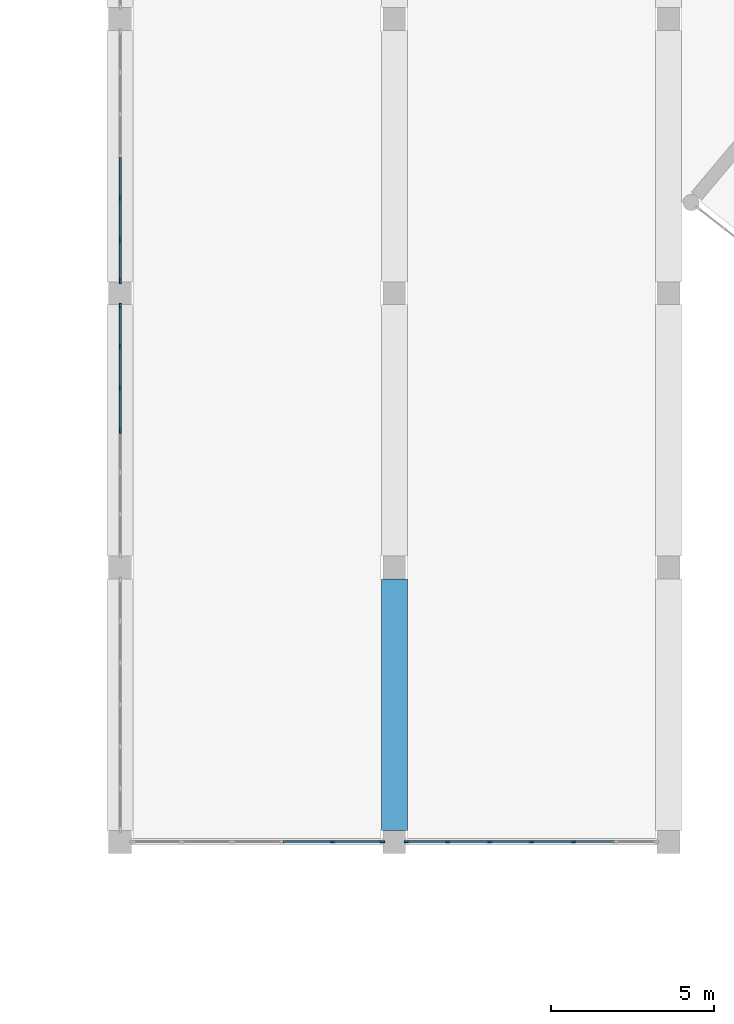
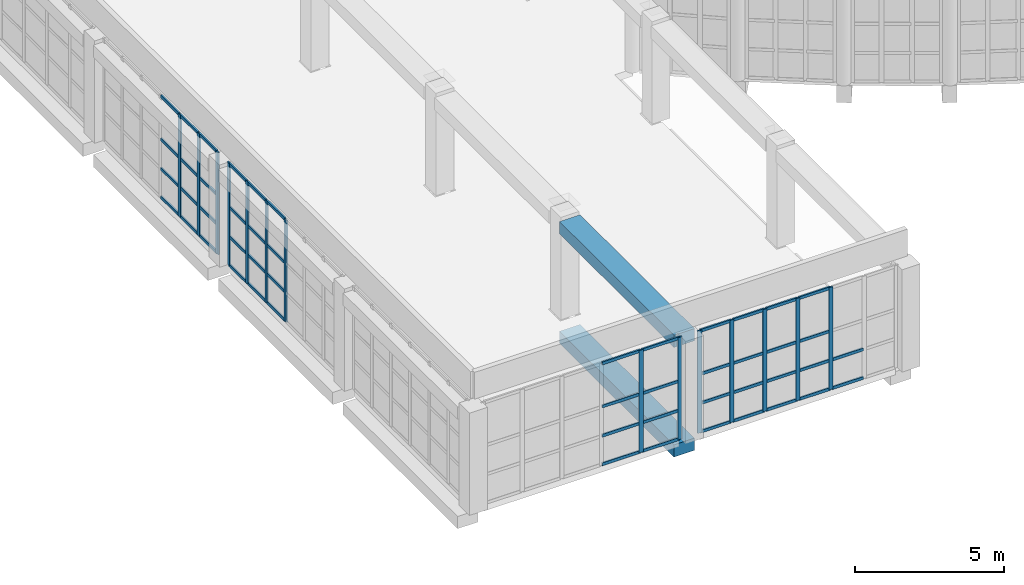
# One storey, part 37 of 162: 64 members, 2 beams, 4 elements without a shape of their own.
"""IFC4 building model written with IfcOpenShell, lengths in metres."""

from ifc_helpers import new_model, si_unit, direction, frame, origin, origin_2d, place, context, subcontext, project, spatial, rectangle, extrude, material, layer, layer_set, material_profile, profile_set, type_object, element, aggregate, save


model = new_model("IFC4")

# Units and contexts
model_context = context("Model", 3, precision=1e-05, world=origin(), true_north=direction((0.0, 1.0)))
body_context = subcontext(model_context, "Body", "Model", "MODEL_VIEW")
ifc_project = project(units=[si_unit("LENGTHUNIT", "METRE"), si_unit("AREAUNIT", "SQUARE_METRE"), si_unit("VOLUMEUNIT", "CUBIC_METRE"), si_unit("PLANEANGLEUNIT", "RADIAN"), si_unit("MASSUNIT", "GRAM", prefix="KILO")], contexts=[model_context])

# Site, building, storey
site_placement = place(None, origin())
site = spatial("IfcSite", under=ifc_project, at=site_placement, CompositionType="ELEMENT")
building_placement = place(site_placement, origin())
building = spatial("IfcBuilding", under=site, at=building_placement, Name="Rain Tree Exposition and Congress Centre", CompositionType="ELEMENT")
storey_placement = place(building_placement, frame((0.0, 0.0, 6.0)))
storey = spatial("IfcBuildingStorey", under=building, at=storey_placement, Name="L01", CompositionType="ELEMENT", Elevation=6.0)

# Curtain wall, members
ifc_material_1 = material(Name="Aluminium", Category="aluminium")
ifc_layer = layer(ifc_material_1, 0.10009765625)
ifc_layer_set = layer_set([ifc_layer], Name="Aluminium")
curtain_wall_type = type_object("IfcCurtainWallType", Name="Curtain wall congress", PredefinedType="NOTDEFINED", material=ifc_layer_set)
curtain_wall_1_placement = place(storey_placement, origin())
curtain_wall_1 = element("IfcCurtainWall", 1, at=curtain_wall_1_placement, inside=storey, type_object=curtain_wall_type, Name="Foyer curtain wall L01 bay 2", PredefinedType="NOTDEFINED")
ifc_material_2 = material(Name="Aluminium", Category="aluminium")
ifc_material_profile_1 = material_profile(ifc_material_2, rectangle(XDim=0.06005859375, YDim=0.159912109375, at=origin_2d()), Name="AL 60x160")
ifc_profile_set_1 = profile_set([ifc_material_profile_1], Name="Aluminium")
member_type_1 = type_object("IfcMemberType", Name="Curtain wall mullion 60x160 congress", PredefinedType="MULLION", material=ifc_profile_set_1)
member_1_placement = place(storey_placement, frame((151.199951171875, 21.0, 0.0), z_axis=(0.0, 0.0, 1.0), x_axis=(-1.0, 0.0, 0.0)))
member_1 = element("IfcMember", 2, at=member_1_placement, type_object=member_type_1, Name="CWG402 mullion 4", PredefinedType="MULLION", context=body_context, shape_type="SweptSolid", body=[
    extrude(rectangle(XDim=0.06005859375, YDim=0.159912109375, at=origin_2d()), origin(), (0.0, 0.0, 1.0), 4.199951171875),
])
member_2_placement = place(storey_placement, frame((151.199951171875, 22.283447265625, 0.0), z_axis=(0.0, 0.0, 1.0), x_axis=(-1.0, 0.0, 0.0)))
member_2 = element("IfcMember", 3, at=member_2_placement, type_object=member_type_1, Name="CWG402 mullion 5", PredefinedType="MULLION", context=body_context, shape_type="SweptSolid", body=[
    extrude(rectangle(XDim=0.06005859375, YDim=0.159912109375, at=origin_2d()), origin(), (0.0, 0.0, 1.0), 4.199951171875),
])
member_3_placement = place(storey_placement, frame((151.199951171875, 23.566650390625, 0.0), z_axis=(0.0, 0.0, 1.0), x_axis=(-1.0, 0.0, 0.0)))
member_3 = element("IfcMember", 4, at=member_3_placement, type_object=member_type_1, Name="CWG402 mullion 6", PredefinedType="MULLION", context=body_context, shape_type="SweptSolid", body=[
    extrude(rectangle(XDim=0.06005859375, YDim=0.159912109375, at=origin_2d()), origin(), (0.0, 0.0, 1.0), 4.199951171875),
])
member_4_placement = place(storey_placement, frame((151.199951171875, 24.820068359375, 0.0), z_axis=(0.0, 0.0, 1.0), x_axis=(-1.0, 0.0, 0.0)))
member_4 = element("IfcMember", 5, at=member_4_placement, type_object=member_type_1, Name="CWG402 mullion 7", PredefinedType="MULLION", context=body_context, shape_type="SweptSolid", body=[
    extrude(rectangle(XDim=0.06005859375, YDim=0.159912109375, at=origin_2d()), origin(), (0.0, 0.0, 1.0), 4.199951171875),
])

curtain_wall_2_placement = place(storey_placement, origin())
curtain_wall_2 = element("IfcCurtainWall", 6, at=curtain_wall_2_placement, inside=storey, type_object=curtain_wall_type, Name="Foyer curtain wall L01 bay 3", PredefinedType="NOTDEFINED")
member_5_placement = place(storey_placement, frame((151.199951171875, 25.580078125, 0.0), z_axis=(0.0, 0.0, 1.0), x_axis=(-1.0, 0.0, 0.0)))
member_5 = element("IfcMember", 7, at=member_5_placement, type_object=member_type_1, Name="CWG403 mullion 1", PredefinedType="MULLION", context=body_context, shape_type="SweptSolid", body=[
    extrude(rectangle(XDim=0.06005859375, YDim=0.159912109375, at=origin_2d()), origin(), (0.0, 0.0, 1.0), 4.199951171875),
])
member_6_placement = place(storey_placement, frame((151.199951171875, 26.833251953125, 0.0), z_axis=(0.0, 0.0, 1.0), x_axis=(-1.0, 0.0, 0.0)))
member_6 = element("IfcMember", 8, at=member_6_placement, type_object=member_type_1, Name="CWG403 mullion 2", PredefinedType="MULLION", context=body_context, shape_type="SweptSolid", body=[
    extrude(rectangle(XDim=0.06005859375, YDim=0.159912109375, at=origin_2d()), origin(), (0.0, 0.0, 1.0), 4.199951171875),
])
member_7_placement = place(storey_placement, frame((151.199951171875, 28.11669921875, 0.0), z_axis=(0.0, 0.0, 1.0), x_axis=(-1.0, 0.0, 0.0)))
member_7 = element("IfcMember", 9, at=member_7_placement, type_object=member_type_1, Name="CWG403 mullion 3", PredefinedType="MULLION", context=body_context, shape_type="SweptSolid", body=[
    extrude(rectangle(XDim=0.06005859375, YDim=0.159912109375, at=origin_2d()), origin(), (0.0, 0.0, 1.0), 4.199951171875),
])

curtain_wall_3_placement = place(storey_placement, origin())
curtain_wall_3 = element("IfcCurtainWall", 10, at=curtain_wall_3_placement, inside=storey, type_object=curtain_wall_type, Name="Foyer south curtain wall L01 bay 1", PredefinedType="NOTDEFINED")
member_8_placement = place(storey_placement, frame((157.7099609375, 8.39990234375, 0.0), z_axis=(0.0, 0.0, 1.0), x_axis=(0.0, 1.0, 0.0)))
member_8 = element("IfcMember", 11, at=member_8_placement, type_object=member_type_1, Name="CWG601 mullion 5", PredefinedType="MULLION", context=body_context, shape_type="SweptSolid", body=[
    extrude(rectangle(XDim=0.06005859375, YDim=0.159912109375, at=origin_2d()), origin(), (0.0, 0.0, 1.0), 4.199951171875),
])
member_9_placement = place(storey_placement, frame((159.219970703125, 8.39990234375, 0.0), z_axis=(0.0, 0.0, 1.0), x_axis=(0.0, 1.0, 0.0)))
member_9 = element("IfcMember", 12, at=member_9_placement, type_object=member_type_1, Name="CWG601 mullion 6", PredefinedType="MULLION", context=body_context, shape_type="SweptSolid", body=[
    extrude(rectangle(XDim=0.06005859375, YDim=0.159912109375, at=origin_2d()), origin(), (0.0, 0.0, 1.0), 4.199951171875),
])

curtain_wall_4_placement = place(storey_placement, origin())
curtain_wall_4 = element("IfcCurtainWall", 13, at=curtain_wall_4_placement, inside=storey, type_object=curtain_wall_type, Name="Foyer south curtain wall L01 bay 2", PredefinedType="NOTDEFINED")
member_10_placement = place(storey_placement, frame((159.97998046875, 8.39990234375, 0.0), z_axis=(0.0, 0.0, 1.0), x_axis=(0.0, 1.0, 0.0)))
member_10 = element("IfcMember", 14, at=member_10_placement, type_object=member_type_1, Name="CWG602 mullion 1", PredefinedType="MULLION", context=body_context, shape_type="SweptSolid", body=[
    extrude(rectangle(XDim=0.06005859375, YDim=0.159912109375, at=origin_2d()), origin(), (0.0, 0.0, 1.0), 4.199951171875),
])
member_11_placement = place(storey_placement, frame((161.2333984375, 8.39990234375, 0.0), z_axis=(0.0, 0.0, 1.0), x_axis=(0.0, 1.0, 0.0)))
member_11 = element("IfcMember", 15, at=member_11_placement, type_object=member_type_1, Name="CWG602 mullion 2", PredefinedType="MULLION", context=body_context, shape_type="SweptSolid", body=[
    extrude(rectangle(XDim=0.06005859375, YDim=0.159912109375, at=origin_2d()), origin(), (0.0, 0.0, 1.0), 4.199951171875),
])
member_12_placement = place(storey_placement, frame((162.5166015625, 8.39990234375, 0.0), z_axis=(0.0, 0.0, 1.0), x_axis=(0.0, 1.0, 0.0)))
member_12 = element("IfcMember", 16, at=member_12_placement, type_object=member_type_1, Name="CWG602 mullion 3", PredefinedType="MULLION", context=body_context, shape_type="SweptSolid", body=[
    extrude(rectangle(XDim=0.06005859375, YDim=0.159912109375, at=origin_2d()), origin(), (0.0, 0.0, 1.0), 4.199951171875),
])
member_13_placement = place(storey_placement, frame((163.800048828125, 8.39990234375, 0.0), z_axis=(0.0, 0.0, 1.0), x_axis=(0.0, 1.0, 0.0)))
member_13 = element("IfcMember", 17, at=member_13_placement, type_object=member_type_1, Name="CWG602 mullion 4", PredefinedType="MULLION", context=body_context, shape_type="SweptSolid", body=[
    extrude(rectangle(XDim=0.06005859375, YDim=0.159912109375, at=origin_2d()), origin(), (0.0, 0.0, 1.0), 4.199951171875),
])
member_14_placement = place(storey_placement, frame((165.083251953125, 8.39990234375, 0.0), z_axis=(0.0, 0.0, 1.0), x_axis=(0.0, 1.0, 0.0)))
member_14 = element("IfcMember", 18, at=member_14_placement, type_object=member_type_1, Name="CWG602 mullion 5", PredefinedType="MULLION", context=body_context, shape_type="SweptSolid", body=[
    extrude(rectangle(XDim=0.06005859375, YDim=0.159912109375, at=origin_2d()), origin(), (0.0, 0.0, 1.0), 4.199951171875),
])

# Member
ifc_material_3 = material(Name="Aluminium", Category="aluminium")
ifc_material_profile_2 = material_profile(ifc_material_3, rectangle(XDim=0.06005859375, YDim=0.1201171875, at=origin_2d()), Name="AL 60x120")
ifc_profile_set_2 = profile_set([ifc_material_profile_2], Name="Aluminium")
member_type_2 = type_object("IfcMemberType", Name="Curtain wall transom 60x120 congress", PredefinedType="USERDEFINED", material=ifc_profile_set_2)
member_15_placement = place(storey_placement, frame((151.199951171875, 21.030029296875, 0.030029296875), z_axis=(0.0, 1.0, 0.0), x_axis=(-1.0, 0.0, 0.0)))
member_15 = element("IfcMember", 19, at=member_15_placement, type_object=member_type_2, Name="CWG402 transom 4.1", ObjectType="TRANSOM", PredefinedType="USERDEFINED", context=body_context, shape_type="SweptSolid", body=[
    extrude(rectangle(XDim=0.06005859375, YDim=0.1201171875, at=origin_2d()), origin(), (0.0, 0.0, 1.0), 1.223388671875),
])

member_16_placement = place(storey_placement, frame((151.199951171875, 21.030029296875, 1.199951171875), z_axis=(0.0, 1.0, 0.0), x_axis=(-1.0, 0.0, 0.0)))
member_16 = element("IfcMember", 20, at=member_16_placement, type_object=member_type_2, Name="CWG402 transom 4.2", ObjectType="TRANSOM", PredefinedType="USERDEFINED", context=body_context, shape_type="SweptSolid", body=[
    extrude(rectangle(XDim=0.06005859375, YDim=0.1201171875, at=origin_2d()), origin(), (0.0, 0.0, 1.0), 1.223388671875),
])

member_17_placement = place(storey_placement, frame((151.199951171875, 21.030029296875, 2.39990234375), z_axis=(0.0, 1.0, 0.0), x_axis=(-1.0, 0.0, 0.0)))
member_17 = element("IfcMember", 21, at=member_17_placement, type_object=member_type_2, Name="CWG402 transom 4.3", ObjectType="TRANSOM", PredefinedType="USERDEFINED", context=body_context, shape_type="SweptSolid", body=[
    extrude(rectangle(XDim=0.06005859375, YDim=0.1201171875, at=origin_2d()), origin(), (0.0, 0.0, 1.0), 1.223388671875),
])

member_18_placement = place(storey_placement, frame((151.199951171875, 21.030029296875, 4.169921875), z_axis=(0.0, 1.0, 0.0), x_axis=(-1.0, 0.0, 0.0)))
member_18 = element("IfcMember", 22, at=member_18_placement, type_object=member_type_2, Name="CWG402 transom 4.4", ObjectType="TRANSOM", PredefinedType="USERDEFINED", context=body_context, shape_type="SweptSolid", body=[
    extrude(rectangle(XDim=0.06005859375, YDim=0.1201171875, at=origin_2d()), origin(), (0.0, 0.0, 1.0), 1.223388671875),
])

member_19_placement = place(storey_placement, frame((151.199951171875, 22.313232421875, 0.030029296875), z_axis=(0.0, 1.0, 0.0), x_axis=(-1.0, 0.0, 0.0)))
member_19 = element("IfcMember", 23, at=member_19_placement, type_object=member_type_2, Name="CWG402 transom 5.1", ObjectType="TRANSOM", PredefinedType="USERDEFINED", context=body_context, shape_type="SweptSolid", body=[
    extrude(rectangle(XDim=0.06005859375, YDim=0.1201171875, at=origin_2d()), origin(), (0.0, 0.0, 1.0), 1.223388671875),
])

member_20_placement = place(storey_placement, frame((151.199951171875, 22.313232421875, 1.199951171875), z_axis=(0.0, 1.0, 0.0), x_axis=(-1.0, 0.0, 0.0)))
member_20 = element("IfcMember", 24, at=member_20_placement, type_object=member_type_2, Name="CWG402 transom 5.2", ObjectType="TRANSOM", PredefinedType="USERDEFINED", context=body_context, shape_type="SweptSolid", body=[
    extrude(rectangle(XDim=0.06005859375, YDim=0.1201171875, at=origin_2d()), origin(), (0.0, 0.0, 1.0), 1.223388671875),
])

member_21_placement = place(storey_placement, frame((151.199951171875, 22.313232421875, 2.39990234375), z_axis=(0.0, 1.0, 0.0), x_axis=(-1.0, 0.0, 0.0)))
member_21 = element("IfcMember", 25, at=member_21_placement, type_object=member_type_2, Name="CWG402 transom 5.3", ObjectType="TRANSOM", PredefinedType="USERDEFINED", context=body_context, shape_type="SweptSolid", body=[
    extrude(rectangle(XDim=0.06005859375, YDim=0.1201171875, at=origin_2d()), origin(), (0.0, 0.0, 1.0), 1.223388671875),
])

member_22_placement = place(storey_placement, frame((151.199951171875, 22.313232421875, 4.169921875), z_axis=(0.0, 1.0, 0.0), x_axis=(-1.0, 0.0, 0.0)))
member_22 = element("IfcMember", 26, at=member_22_placement, type_object=member_type_2, Name="CWG402 transom 5.4", ObjectType="TRANSOM", PredefinedType="USERDEFINED", context=body_context, shape_type="SweptSolid", body=[
    extrude(rectangle(XDim=0.06005859375, YDim=0.1201171875, at=origin_2d()), origin(), (0.0, 0.0, 1.0), 1.223388671875),
])

member_23_placement = place(storey_placement, frame((151.199951171875, 23.5966796875, 0.030029296875), z_axis=(0.0, 1.0, 0.0), x_axis=(-1.0, 0.0, 0.0)))
member_23 = element("IfcMember", 27, at=member_23_placement, type_object=member_type_2, Name="CWG402 transom 6.1", ObjectType="TRANSOM", PredefinedType="USERDEFINED", context=body_context, shape_type="SweptSolid", body=[
    extrude(rectangle(XDim=0.06005859375, YDim=0.1201171875, at=origin_2d()), origin(), (0.0, 0.0, 1.0), 1.193359375),
])

member_24_placement = place(storey_placement, frame((151.199951171875, 23.5966796875, 1.199951171875), z_axis=(0.0, 1.0, 0.0), x_axis=(-1.0, 0.0, 0.0)))
member_24 = element("IfcMember", 28, at=member_24_placement, type_object=member_type_2, Name="CWG402 transom 6.2", ObjectType="TRANSOM", PredefinedType="USERDEFINED", context=body_context, shape_type="SweptSolid", body=[
    extrude(rectangle(XDim=0.06005859375, YDim=0.1201171875, at=origin_2d()), origin(), (0.0, 0.0, 1.0), 1.193359375),
])

member_25_placement = place(storey_placement, frame((151.199951171875, 23.5966796875, 2.39990234375), z_axis=(0.0, 1.0, 0.0), x_axis=(-1.0, 0.0, 0.0)))
member_25 = element("IfcMember", 29, at=member_25_placement, type_object=member_type_2, Name="CWG402 transom 6.3", ObjectType="TRANSOM", PredefinedType="USERDEFINED", context=body_context, shape_type="SweptSolid", body=[
    extrude(rectangle(XDim=0.06005859375, YDim=0.1201171875, at=origin_2d()), origin(), (0.0, 0.0, 1.0), 1.193359375),
])

member_26_placement = place(storey_placement, frame((151.199951171875, 23.5966796875, 4.169921875), z_axis=(0.0, 1.0, 0.0), x_axis=(-1.0, 0.0, 0.0)))
member_26 = element("IfcMember", 30, at=member_26_placement, type_object=member_type_2, Name="CWG402 transom 6.4", ObjectType="TRANSOM", PredefinedType="USERDEFINED", context=body_context, shape_type="SweptSolid", body=[
    extrude(rectangle(XDim=0.06005859375, YDim=0.1201171875, at=origin_2d()), origin(), (0.0, 0.0, 1.0), 1.193359375),
])

aggregate(curtain_wall_1, [member_1, member_2, member_3, member_4, member_15, member_16, member_17, member_18, member_19, member_20, member_21, member_22, member_23, member_24, member_25, member_26])

member_27_placement = place(storey_placement, frame((151.199951171875, 25.610107421875, 0.030029296875), z_axis=(0.0, 1.0, 0.0), x_axis=(-1.0, 0.0, 0.0)))
member_27 = element("IfcMember", 31, at=member_27_placement, type_object=member_type_2, Name="CWG403 transom 1.1", ObjectType="TRANSOM", PredefinedType="USERDEFINED", context=body_context, shape_type="SweptSolid", body=[
    extrude(rectangle(XDim=0.06005859375, YDim=0.1201171875, at=origin_2d()), origin(), (0.0, 0.0, 1.0), 1.193115234375),
])

member_28_placement = place(storey_placement, frame((151.199951171875, 25.610107421875, 1.199951171875), z_axis=(0.0, 1.0, 0.0), x_axis=(-1.0, 0.0, 0.0)))
member_28 = element("IfcMember", 32, at=member_28_placement, type_object=member_type_2, Name="CWG403 transom 1.2", ObjectType="TRANSOM", PredefinedType="USERDEFINED", context=body_context, shape_type="SweptSolid", body=[
    extrude(rectangle(XDim=0.06005859375, YDim=0.1201171875, at=origin_2d()), origin(), (0.0, 0.0, 1.0), 1.193115234375),
])

member_29_placement = place(storey_placement, frame((151.199951171875, 25.610107421875, 2.39990234375), z_axis=(0.0, 1.0, 0.0), x_axis=(-1.0, 0.0, 0.0)))
member_29 = element("IfcMember", 33, at=member_29_placement, type_object=member_type_2, Name="CWG403 transom 1.3", ObjectType="TRANSOM", PredefinedType="USERDEFINED", context=body_context, shape_type="SweptSolid", body=[
    extrude(rectangle(XDim=0.06005859375, YDim=0.1201171875, at=origin_2d()), origin(), (0.0, 0.0, 1.0), 1.193115234375),
])

member_30_placement = place(storey_placement, frame((151.199951171875, 25.610107421875, 4.169921875), z_axis=(0.0, 1.0, 0.0), x_axis=(-1.0, 0.0, 0.0)))
member_30 = element("IfcMember", 34, at=member_30_placement, type_object=member_type_2, Name="CWG403 transom 1.4", ObjectType="TRANSOM", PredefinedType="USERDEFINED", context=body_context, shape_type="SweptSolid", body=[
    extrude(rectangle(XDim=0.06005859375, YDim=0.1201171875, at=origin_2d()), origin(), (0.0, 0.0, 1.0), 1.193115234375),
])

member_31_placement = place(storey_placement, frame((151.199951171875, 26.86328125, 0.030029296875), z_axis=(0.0, 1.0, 0.0), x_axis=(-1.0, 0.0, 0.0)))
member_31 = element("IfcMember", 35, at=member_31_placement, type_object=member_type_2, Name="CWG403 transom 2.1", ObjectType="TRANSOM", PredefinedType="USERDEFINED", context=body_context, shape_type="SweptSolid", body=[
    extrude(rectangle(XDim=0.06005859375, YDim=0.1201171875, at=origin_2d()), origin(), (0.0, 0.0, 1.0), 1.223388671875),
])

member_32_placement = place(storey_placement, frame((151.199951171875, 26.86328125, 1.199951171875), z_axis=(0.0, 1.0, 0.0), x_axis=(-1.0, 0.0, 0.0)))
member_32 = element("IfcMember", 36, at=member_32_placement, type_object=member_type_2, Name="CWG403 transom 2.2", ObjectType="TRANSOM", PredefinedType="USERDEFINED", context=body_context, shape_type="SweptSolid", body=[
    extrude(rectangle(XDim=0.06005859375, YDim=0.1201171875, at=origin_2d()), origin(), (0.0, 0.0, 1.0), 1.223388671875),
])

member_33_placement = place(storey_placement, frame((151.199951171875, 26.86328125, 2.39990234375), z_axis=(0.0, 1.0, 0.0), x_axis=(-1.0, 0.0, 0.0)))
member_33 = element("IfcMember", 37, at=member_33_placement, type_object=member_type_2, Name="CWG403 transom 2.3", ObjectType="TRANSOM", PredefinedType="USERDEFINED", context=body_context, shape_type="SweptSolid", body=[
    extrude(rectangle(XDim=0.06005859375, YDim=0.1201171875, at=origin_2d()), origin(), (0.0, 0.0, 1.0), 1.223388671875),
])

member_34_placement = place(storey_placement, frame((151.199951171875, 26.86328125, 4.169921875), z_axis=(0.0, 1.0, 0.0), x_axis=(-1.0, 0.0, 0.0)))
member_34 = element("IfcMember", 38, at=member_34_placement, type_object=member_type_2, Name="CWG403 transom 2.4", ObjectType="TRANSOM", PredefinedType="USERDEFINED", context=body_context, shape_type="SweptSolid", body=[
    extrude(rectangle(XDim=0.06005859375, YDim=0.1201171875, at=origin_2d()), origin(), (0.0, 0.0, 1.0), 1.223388671875),
])

member_35_placement = place(storey_placement, frame((151.199951171875, 28.146728515625, 0.030029296875), z_axis=(0.0, 1.0, 0.0), x_axis=(-1.0, 0.0, 0.0)))
member_35 = element("IfcMember", 39, at=member_35_placement, type_object=member_type_2, Name="CWG403 transom 3.1", ObjectType="TRANSOM", PredefinedType="USERDEFINED", context=body_context, shape_type="SweptSolid", body=[
    extrude(rectangle(XDim=0.06005859375, YDim=0.1201171875, at=origin_2d()), origin(), (0.0, 0.0, 1.0), 1.223388671875),
])

member_36_placement = place(storey_placement, frame((151.199951171875, 28.146728515625, 1.199951171875), z_axis=(0.0, 1.0, 0.0), x_axis=(-1.0, 0.0, 0.0)))
member_36 = element("IfcMember", 40, at=member_36_placement, type_object=member_type_2, Name="CWG403 transom 3.2", ObjectType="TRANSOM", PredefinedType="USERDEFINED", context=body_context, shape_type="SweptSolid", body=[
    extrude(rectangle(XDim=0.06005859375, YDim=0.1201171875, at=origin_2d()), origin(), (0.0, 0.0, 1.0), 1.223388671875),
])

member_37_placement = place(storey_placement, frame((151.199951171875, 28.146728515625, 2.39990234375), z_axis=(0.0, 1.0, 0.0), x_axis=(-1.0, 0.0, 0.0)))
member_37 = element("IfcMember", 41, at=member_37_placement, type_object=member_type_2, Name="CWG403 transom 3.3", ObjectType="TRANSOM", PredefinedType="USERDEFINED", context=body_context, shape_type="SweptSolid", body=[
    extrude(rectangle(XDim=0.06005859375, YDim=0.1201171875, at=origin_2d()), origin(), (0.0, 0.0, 1.0), 1.223388671875),
])

member_38_placement = place(storey_placement, frame((151.199951171875, 28.146728515625, 4.169921875), z_axis=(0.0, 1.0, 0.0), x_axis=(-1.0, 0.0, 0.0)))
member_38 = element("IfcMember", 42, at=member_38_placement, type_object=member_type_2, Name="CWG403 transom 3.4", ObjectType="TRANSOM", PredefinedType="USERDEFINED", context=body_context, shape_type="SweptSolid", body=[
    extrude(rectangle(XDim=0.06005859375, YDim=0.1201171875, at=origin_2d()), origin(), (0.0, 0.0, 1.0), 1.223388671875),
])

aggregate(curtain_wall_2, [member_5, member_6, member_7, member_27, member_28, member_29, member_30, member_31, member_32, member_33, member_34, member_35, member_36, member_37, member_38])

member_39_placement = place(storey_placement, frame((156.199951171875, 8.39990234375, 0.030029296875), z_axis=(1.0, 0.0, 0.0), x_axis=(0.0, 1.0, 0.0)))
member_39 = element("IfcMember", 43, at=member_39_placement, type_object=member_type_2, Name="CWG601 transom 4.1", ObjectType="TRANSOM", PredefinedType="USERDEFINED", context=body_context, shape_type="SweptSolid", body=[
    extrude(rectangle(XDim=0.06005859375, YDim=0.1201171875, at=origin_2d()), origin(), (0.0, 0.0, 1.0), 1.47998046875),
])

member_40_placement = place(storey_placement, frame((156.199951171875, 8.39990234375, 1.199951171875), z_axis=(1.0, 0.0, 0.0), x_axis=(0.0, 1.0, 0.0)))
member_40 = element("IfcMember", 44, at=member_40_placement, type_object=member_type_2, Name="CWG601 transom 4.2", ObjectType="TRANSOM", PredefinedType="USERDEFINED", context=body_context, shape_type="SweptSolid", body=[
    extrude(rectangle(XDim=0.06005859375, YDim=0.1201171875, at=origin_2d()), origin(), (0.0, 0.0, 1.0), 1.47998046875),
])

member_41_placement = place(storey_placement, frame((156.199951171875, 8.39990234375, 2.39990234375), z_axis=(1.0, 0.0, 0.0), x_axis=(0.0, 1.0, 0.0)))
member_41 = element("IfcMember", 45, at=member_41_placement, type_object=member_type_2, Name="CWG601 transom 4.3", ObjectType="TRANSOM", PredefinedType="USERDEFINED", context=body_context, shape_type="SweptSolid", body=[
    extrude(rectangle(XDim=0.06005859375, YDim=0.1201171875, at=origin_2d()), origin(), (0.0, 0.0, 1.0), 1.47998046875),
])

member_42_placement = place(storey_placement, frame((156.199951171875, 8.39990234375, 4.169921875), z_axis=(1.0, 0.0, 0.0), x_axis=(0.0, 1.0, 0.0)))
member_42 = element("IfcMember", 46, at=member_42_placement, type_object=member_type_2, Name="CWG601 transom 4.4", ObjectType="TRANSOM", PredefinedType="USERDEFINED", context=body_context, shape_type="SweptSolid", body=[
    extrude(rectangle(XDim=0.06005859375, YDim=0.1201171875, at=origin_2d()), origin(), (0.0, 0.0, 1.0), 1.47998046875),
])

member_43_placement = place(storey_placement, frame((157.739990234375, 8.39990234375, 0.030029296875), z_axis=(1.0, 0.0, 0.0), x_axis=(0.0, 1.0, 0.0)))
member_43 = element("IfcMember", 47, at=member_43_placement, type_object=member_type_2, Name="CWG601 transom 5.1", ObjectType="TRANSOM", PredefinedType="USERDEFINED", context=body_context, shape_type="SweptSolid", body=[
    extrude(rectangle(XDim=0.06005859375, YDim=0.1201171875, at=origin_2d()), origin(), (0.0, 0.0, 1.0), 1.449951171875),
])

member_44_placement = place(storey_placement, frame((157.739990234375, 8.39990234375, 1.199951171875), z_axis=(1.0, 0.0, 0.0), x_axis=(0.0, 1.0, 0.0)))
member_44 = element("IfcMember", 48, at=member_44_placement, type_object=member_type_2, Name="CWG601 transom 5.2", ObjectType="TRANSOM", PredefinedType="USERDEFINED", context=body_context, shape_type="SweptSolid", body=[
    extrude(rectangle(XDim=0.06005859375, YDim=0.1201171875, at=origin_2d()), origin(), (0.0, 0.0, 1.0), 1.449951171875),
])

member_45_placement = place(storey_placement, frame((157.739990234375, 8.39990234375, 2.39990234375), z_axis=(1.0, 0.0, 0.0), x_axis=(0.0, 1.0, 0.0)))
member_45 = element("IfcMember", 49, at=member_45_placement, type_object=member_type_2, Name="CWG601 transom 5.3", ObjectType="TRANSOM", PredefinedType="USERDEFINED", context=body_context, shape_type="SweptSolid", body=[
    extrude(rectangle(XDim=0.06005859375, YDim=0.1201171875, at=origin_2d()), origin(), (0.0, 0.0, 1.0), 1.449951171875),
])

member_46_placement = place(storey_placement, frame((157.739990234375, 8.39990234375, 4.169921875), z_axis=(1.0, 0.0, 0.0), x_axis=(0.0, 1.0, 0.0)))
member_46 = element("IfcMember", 50, at=member_46_placement, type_object=member_type_2, Name="CWG601 transom 5.4", ObjectType="TRANSOM", PredefinedType="USERDEFINED", context=body_context, shape_type="SweptSolid", body=[
    extrude(rectangle(XDim=0.06005859375, YDim=0.1201171875, at=origin_2d()), origin(), (0.0, 0.0, 1.0), 1.449951171875),
])

aggregate(curtain_wall_3, [member_8, member_9, member_39, member_40, member_41, member_42, member_43, member_44, member_45, member_46])

member_47_placement = place(storey_placement, frame((160.010009765625, 8.39990234375, 0.030029296875), z_axis=(1.0, 0.0, 0.0), x_axis=(0.0, 1.0, 0.0)))
member_47 = element("IfcMember", 51, at=member_47_placement, type_object=member_type_2, Name="CWG602 transom 1.1", ObjectType="TRANSOM", PredefinedType="USERDEFINED", context=body_context, shape_type="SweptSolid", body=[
    extrude(rectangle(XDim=0.06005859375, YDim=0.1201171875, at=origin_2d()), origin(), (0.0, 0.0, 1.0), 1.193359375),
])

member_48_placement = place(storey_placement, frame((160.010009765625, 8.39990234375, 1.199951171875), z_axis=(1.0, 0.0, 0.0), x_axis=(0.0, 1.0, 0.0)))
member_48 = element("IfcMember", 52, at=member_48_placement, type_object=member_type_2, Name="CWG602 transom 1.2", ObjectType="TRANSOM", PredefinedType="USERDEFINED", context=body_context, shape_type="SweptSolid", body=[
    extrude(rectangle(XDim=0.06005859375, YDim=0.1201171875, at=origin_2d()), origin(), (0.0, 0.0, 1.0), 1.193359375),
])

member_49_placement = place(storey_placement, frame((160.010009765625, 8.39990234375, 2.39990234375), z_axis=(1.0, 0.0, 0.0), x_axis=(0.0, 1.0, 0.0)))
member_49 = element("IfcMember", 53, at=member_49_placement, type_object=member_type_2, Name="CWG602 transom 1.3", ObjectType="TRANSOM", PredefinedType="USERDEFINED", context=body_context, shape_type="SweptSolid", body=[
    extrude(rectangle(XDim=0.06005859375, YDim=0.1201171875, at=origin_2d()), origin(), (0.0, 0.0, 1.0), 1.193359375),
])

member_50_placement = place(storey_placement, frame((160.010009765625, 8.39990234375, 4.169921875), z_axis=(1.0, 0.0, 0.0), x_axis=(0.0, 1.0, 0.0)))
member_50 = element("IfcMember", 54, at=member_50_placement, type_object=member_type_2, Name="CWG602 transom 1.4", ObjectType="TRANSOM", PredefinedType="USERDEFINED", context=body_context, shape_type="SweptSolid", body=[
    extrude(rectangle(XDim=0.06005859375, YDim=0.1201171875, at=origin_2d()), origin(), (0.0, 0.0, 1.0), 1.193359375),
])

member_51_placement = place(storey_placement, frame((161.263427734375, 8.39990234375, 0.030029296875), z_axis=(1.0, 0.0, 0.0), x_axis=(0.0, 1.0, 0.0)))
member_51 = element("IfcMember", 55, at=member_51_placement, type_object=member_type_2, Name="CWG602 transom 2.1", ObjectType="TRANSOM", PredefinedType="USERDEFINED", context=body_context, shape_type="SweptSolid", body=[
    extrude(rectangle(XDim=0.06005859375, YDim=0.1201171875, at=origin_2d()), origin(), (0.0, 0.0, 1.0), 1.22314453125),
])

member_52_placement = place(storey_placement, frame((161.263427734375, 8.39990234375, 1.199951171875), z_axis=(1.0, 0.0, 0.0), x_axis=(0.0, 1.0, 0.0)))
member_52 = element("IfcMember", 56, at=member_52_placement, type_object=member_type_2, Name="CWG602 transom 2.2", ObjectType="TRANSOM", PredefinedType="USERDEFINED", context=body_context, shape_type="SweptSolid", body=[
    extrude(rectangle(XDim=0.06005859375, YDim=0.1201171875, at=origin_2d()), origin(), (0.0, 0.0, 1.0), 1.22314453125),
])

member_53_placement = place(storey_placement, frame((161.263427734375, 8.39990234375, 2.39990234375), z_axis=(1.0, 0.0, 0.0), x_axis=(0.0, 1.0, 0.0)))
member_53 = element("IfcMember", 57, at=member_53_placement, type_object=member_type_2, Name="CWG602 transom 2.3", ObjectType="TRANSOM", PredefinedType="USERDEFINED", context=body_context, shape_type="SweptSolid", body=[
    extrude(rectangle(XDim=0.06005859375, YDim=0.1201171875, at=origin_2d()), origin(), (0.0, 0.0, 1.0), 1.22314453125),
])

member_54_placement = place(storey_placement, frame((161.263427734375, 8.39990234375, 4.169921875), z_axis=(1.0, 0.0, 0.0), x_axis=(0.0, 1.0, 0.0)))
member_54 = element("IfcMember", 58, at=member_54_placement, type_object=member_type_2, Name="CWG602 transom 2.4", ObjectType="TRANSOM", PredefinedType="USERDEFINED", context=body_context, shape_type="SweptSolid", body=[
    extrude(rectangle(XDim=0.06005859375, YDim=0.1201171875, at=origin_2d()), origin(), (0.0, 0.0, 1.0), 1.22314453125),
])

member_55_placement = place(storey_placement, frame((162.546630859375, 8.39990234375, 0.030029296875), z_axis=(1.0, 0.0, 0.0), x_axis=(0.0, 1.0, 0.0)))
member_55 = element("IfcMember", 59, at=member_55_placement, type_object=member_type_2, Name="CWG602 transom 3.1", ObjectType="TRANSOM", PredefinedType="USERDEFINED", context=body_context, shape_type="SweptSolid", body=[
    extrude(rectangle(XDim=0.06005859375, YDim=0.1201171875, at=origin_2d()), origin(), (0.0, 0.0, 1.0), 1.223388671875),
])

member_56_placement = place(storey_placement, frame((162.546630859375, 8.39990234375, 1.199951171875), z_axis=(1.0, 0.0, 0.0), x_axis=(0.0, 1.0, 0.0)))
member_56 = element("IfcMember", 60, at=member_56_placement, type_object=member_type_2, Name="CWG602 transom 3.2", ObjectType="TRANSOM", PredefinedType="USERDEFINED", context=body_context, shape_type="SweptSolid", body=[
    extrude(rectangle(XDim=0.06005859375, YDim=0.1201171875, at=origin_2d()), origin(), (0.0, 0.0, 1.0), 1.223388671875),
])

member_57_placement = place(storey_placement, frame((162.546630859375, 8.39990234375, 2.39990234375), z_axis=(1.0, 0.0, 0.0), x_axis=(0.0, 1.0, 0.0)))
member_57 = element("IfcMember", 61, at=member_57_placement, type_object=member_type_2, Name="CWG602 transom 3.3", ObjectType="TRANSOM", PredefinedType="USERDEFINED", context=body_context, shape_type="SweptSolid", body=[
    extrude(rectangle(XDim=0.06005859375, YDim=0.1201171875, at=origin_2d()), origin(), (0.0, 0.0, 1.0), 1.223388671875),
])

member_58_placement = place(storey_placement, frame((162.546630859375, 8.39990234375, 4.169921875), z_axis=(1.0, 0.0, 0.0), x_axis=(0.0, 1.0, 0.0)))
member_58 = element("IfcMember", 62, at=member_58_placement, type_object=member_type_2, Name="CWG602 transom 3.4", ObjectType="TRANSOM", PredefinedType="USERDEFINED", context=body_context, shape_type="SweptSolid", body=[
    extrude(rectangle(XDim=0.06005859375, YDim=0.1201171875, at=origin_2d()), origin(), (0.0, 0.0, 1.0), 1.223388671875),
])

member_59_placement = place(storey_placement, frame((163.830078125, 8.39990234375, 0.030029296875), z_axis=(1.0, 0.0, 0.0), x_axis=(0.0, 1.0, 0.0)))
member_59 = element("IfcMember", 63, at=member_59_placement, type_object=member_type_2, Name="CWG602 transom 4.1", ObjectType="TRANSOM", PredefinedType="USERDEFINED", context=body_context, shape_type="SweptSolid", body=[
    extrude(rectangle(XDim=0.06005859375, YDim=0.1201171875, at=origin_2d()), origin(), (0.0, 0.0, 1.0), 1.22314453125),
])

member_60_placement = place(storey_placement, frame((163.830078125, 8.39990234375, 1.199951171875), z_axis=(1.0, 0.0, 0.0), x_axis=(0.0, 1.0, 0.0)))
member_60 = element("IfcMember", 64, at=member_60_placement, type_object=member_type_2, Name="CWG602 transom 4.2", ObjectType="TRANSOM", PredefinedType="USERDEFINED", context=body_context, shape_type="SweptSolid", body=[
    extrude(rectangle(XDim=0.06005859375, YDim=0.1201171875, at=origin_2d()), origin(), (0.0, 0.0, 1.0), 1.22314453125),
])

member_61_placement = place(storey_placement, frame((163.830078125, 8.39990234375, 2.39990234375), z_axis=(1.0, 0.0, 0.0), x_axis=(0.0, 1.0, 0.0)))
member_61 = element("IfcMember", 65, at=member_61_placement, type_object=member_type_2, Name="CWG602 transom 4.3", ObjectType="TRANSOM", PredefinedType="USERDEFINED", context=body_context, shape_type="SweptSolid", body=[
    extrude(rectangle(XDim=0.06005859375, YDim=0.1201171875, at=origin_2d()), origin(), (0.0, 0.0, 1.0), 1.22314453125),
])

member_62_placement = place(storey_placement, frame((163.830078125, 8.39990234375, 4.169921875), z_axis=(1.0, 0.0, 0.0), x_axis=(0.0, 1.0, 0.0)))
member_62 = element("IfcMember", 66, at=member_62_placement, type_object=member_type_2, Name="CWG602 transom 4.4", ObjectType="TRANSOM", PredefinedType="USERDEFINED", context=body_context, shape_type="SweptSolid", body=[
    extrude(rectangle(XDim=0.06005859375, YDim=0.1201171875, at=origin_2d()), origin(), (0.0, 0.0, 1.0), 1.22314453125),
])

member_63_placement = place(storey_placement, frame((165.11328125, 8.39990234375, 0.030029296875), z_axis=(1.0, 0.0, 0.0), x_axis=(0.0, 1.0, 0.0)))
member_63 = element("IfcMember", 67, at=member_63_placement, type_object=member_type_2, Name="CWG602 transom 5.1", ObjectType="TRANSOM", PredefinedType="USERDEFINED", context=body_context, shape_type="SweptSolid", body=[
    extrude(rectangle(XDim=0.06005859375, YDim=0.1201171875, at=origin_2d()), origin(), (0.0, 0.0, 1.0), 1.223388671875),
])

member_64_placement = place(storey_placement, frame((165.11328125, 8.39990234375, 1.199951171875), z_axis=(1.0, 0.0, 0.0), x_axis=(0.0, 1.0, 0.0)))
member_64 = element("IfcMember", 68, at=member_64_placement, type_object=member_type_2, Name="CWG602 transom 5.2", ObjectType="TRANSOM", PredefinedType="USERDEFINED", context=body_context, shape_type="SweptSolid", body=[
    extrude(rectangle(XDim=0.06005859375, YDim=0.1201171875, at=origin_2d()), origin(), (0.0, 0.0, 1.0), 1.223388671875),
])

aggregate(curtain_wall_4, [member_10, member_11, member_12, member_13, member_14, member_47, member_48, member_49, member_50, member_51, member_52, member_53, member_54, member_55, member_56, member_57, member_58, member_59, member_60, member_61, member_62, member_63, member_64])

# Beams
ifc_material_4 = material(Name="Precast concrete C50/60", Category="concrete")
ifc_material_profile_3 = material_profile(ifc_material_4, rectangle(XDim=0.5, YDim=0.800048828125, at=origin_2d()), Name="RC 500x800")
ifc_profile_set_3 = profile_set([ifc_material_profile_3], Name="Precast concrete C50/60")
beam_type = type_object("IfcBeamType", Name="Precast beam 500x800", PredefinedType="BEAM", material=ifc_profile_set_3)
for number, where, z_axis, x_axis, name in (
    (69, (159.60009765625, 8.75, -0.699951171875), (0.0, 1.0, 0.0), (0.0, 0.0, 1.0), "Foyer beam"),
    (70, (159.60009765625, 8.75, 3.800048828125), (0.0, 1.0, 0.0), (0.0, 0.0, 1.0), "Foyer beam"),
):
    element("IfcBeam", number, at=place(storey_placement, frame(where, z_axis=z_axis, x_axis=x_axis)), inside=storey, type_object=beam_type, Name=name, PredefinedType="BEAM", context=body_context, shape_type="SweptSolid", body=[
        extrude(rectangle(XDim=0.5, YDim=0.800048828125, at=origin_2d()), origin(), (0.0, 0.0, 1.0), 7.699951171875),
    ])

save(model, "model.ifc")
